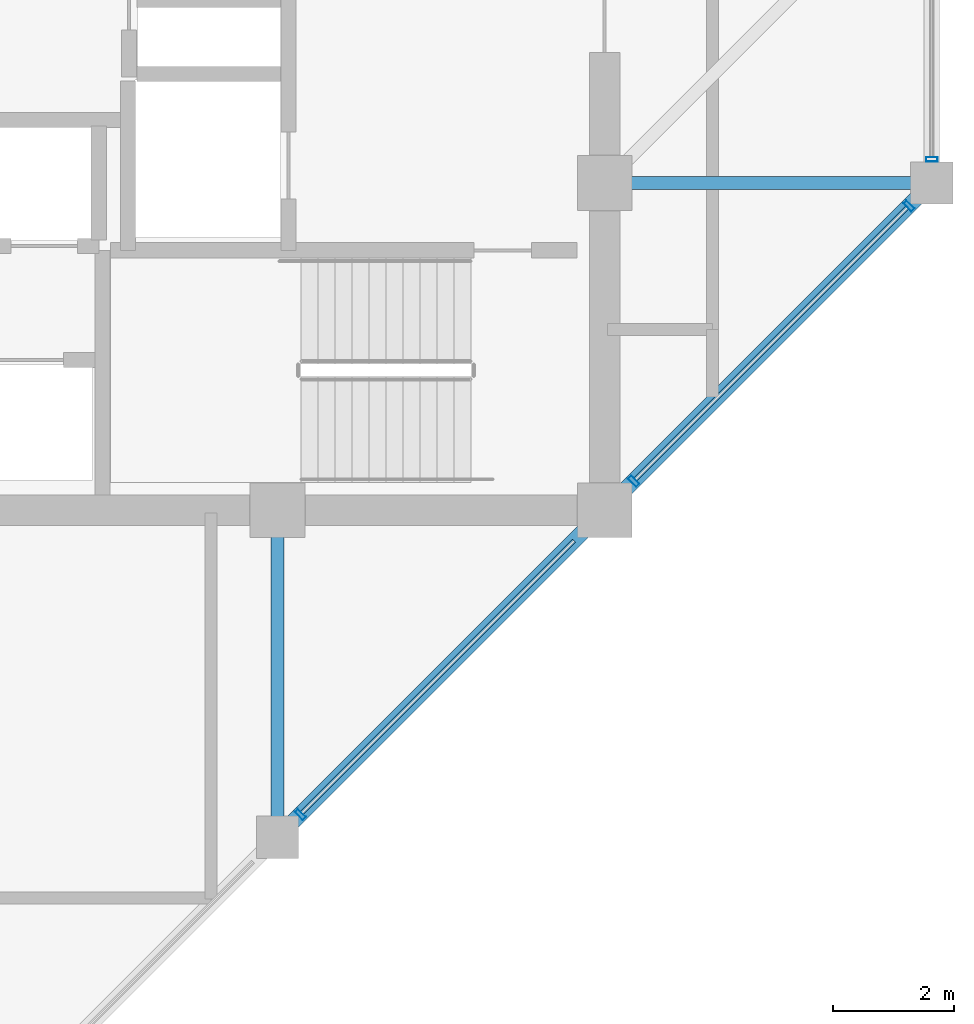
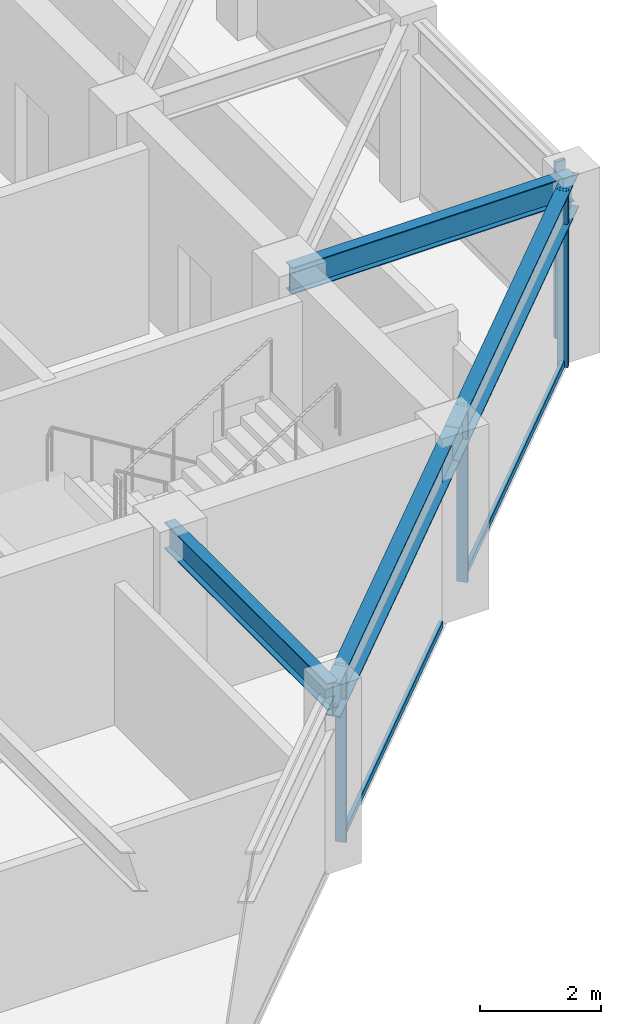
# One storey, part 12 of 30: 6 members, 4 beams, 2 elements without a shape of their own.
"""IFC4 building model written with IfcOpenShell, lengths in metres."""

import ifcopenshell
import ifcopenshell.guid

model = None  # the IFC model being written
_history = None  # IfcOwnerHistory: only IFC2X3 demands one
_inside = {}  # id of a spatial element -> (the spatial element, [elements in it])
_under = {}  # id of a project, library or spatial element -> (it, [spatial elements below it])
_declared = {}  # id of a project -> (the project, [libraries it declares])
_typed = {}  # id of a type object -> (the type object, [elements of that type])
_made_of = {}  # id of a material, layer set ... -> (it, [elements and type objects made of it])


def new_model(schema):
    """Start an empty IFC model of exactly this schema.

    Asked for "IFC4X3", IfcOpenShell would pick the latest addendum, in which some entities
    have other attributes; the version numbers below select the first issue.
    IFC2X3 requires an IfcOwnerHistory on every rooted entity: one is made here for all.
    """
    global model, _history
    if schema == "IFC4X3":
        model = ifcopenshell.file(schema_version=(4, 3, 0, 0))
    else:
        model = ifcopenshell.file(schema=schema)
    _inside.clear()
    _under.clear()
    _declared.clear()
    _typed.clear()
    _made_of.clear()
    _history = None
    if model.schema == "IFC2X3":
        org = make("IfcOrganization", Name="unknown")
        user = make(
            "IfcPersonAndOrganization",
            ThePerson=make("IfcPerson", FamilyName="unknown"),
            TheOrganization=org,
        )
        app = make(
            "IfcApplication",
            ApplicationDeveloper=org,
            Version="unknown",
            ApplicationFullName="unknown",
            ApplicationIdentifier="unknown",
        )
        _history = make(
            "IfcOwnerHistory",
            OwningUser=user,
            OwningApplication=app,
            ChangeAction="ADDED",
            CreationDate=0,
        )
    return model


def make(cls, **values):
    """One entity of the class cls with the attributes given. An attribute that is None is left unset."""
    return model.create_entity(
        cls, **{name: value for name, value in values.items() if value is not None}
    )


def rooted(cls, **values):
    """An entity with a GlobalId (a new one), such as an element, a storey or a relation."""
    return make(cls, GlobalId=ifcopenshell.guid.new(), OwnerHistory=_history, **values)


def si_unit(unit_type, name, prefix=None):
    """IfcSIUnit, for example si_unit("LENGTHUNIT", "METRE", prefix="MILLI")."""
    return make("IfcSIUnit", UnitType=unit_type, Prefix=prefix, Name=name)


def assignment(units):
    """IfcUnitAssignment: the units of a project."""
    return None if units is None else make("IfcUnitAssignment", Units=units)


def point(xyz):
    """IfcCartesianPoint."""
    return None if xyz is None else make("IfcCartesianPoint", Coordinates=xyz)


def direction(xyz):
    """IfcDirection."""
    return None if xyz is None else make("IfcDirection", DirectionRatios=xyz)


def frame(location, z_axis=None, x_axis=None):
    """IfcAxis2Placement3D, a coordinate frame: its origin and axes. An axis left out is left unset."""
    return make(
        "IfcAxis2Placement3D",
        Location=point(location),
        Axis=direction(z_axis),
        RefDirection=direction(x_axis),
    )


def frame_2d(location, x_axis=None):
    """IfcAxis2Placement2D, a coordinate frame in the plane: its origin and x axis."""
    return make(
        "IfcAxis2Placement2D", Location=point(location), RefDirection=direction(x_axis)
    )


def origin():
    """The frame at (0, 0, 0) with its axes left unset."""
    return frame((0.0, 0.0, 0.0))


def origin_2d():
    """The frame at (0, 0) in the plane with its x axis left unset."""
    return frame_2d((0.0, 0.0))


def place(relative_to, where):
    """IfcLocalPlacement: puts the frame where relative to a parent placement (None: the world)."""
    return make(
        "IfcLocalPlacement", PlacementRelTo=relative_to, RelativePlacement=where
    )


def context(
    kind, dimensions, precision=None, world=None, true_north=None, identifier=None
):
    """IfcGeometricRepresentationContext, for example the 3D "Model" context."""
    return make(
        "IfcGeometricRepresentationContext",
        ContextIdentifier=identifier,
        ContextType=kind,
        CoordinateSpaceDimension=dimensions,
        Precision=precision,
        WorldCoordinateSystem=world,
        TrueNorth=true_north,
    )


def subcontext(parent, identifier, kind, view, scale=None):
    """IfcGeometricRepresentationSubContext, for example "Body" below "Model"."""
    return make(
        "IfcGeometricRepresentationSubContext",
        ContextIdentifier=identifier,
        ContextType=kind,
        ParentContext=parent,
        TargetScale=scale,
        TargetView=view,
    )


def project(units=None, contexts=None):
    """IfcProject with its units and contexts."""
    return rooted(
        "IfcProject",
        Name="project",
        RepresentationContexts=contexts,
        UnitsInContext=assignment(units),
    )


def spatial(cls, under=None, at=None, **own):
    """A site, building, storey or space (cls), placed at a placement, below another one or the project."""
    s = rooted(cls, ObjectPlacement=at, **own)
    if under is not None:
        _under.setdefault(under.id(), (under, []))[1].append(s)
    return s


def profile(cls, at=None, kind="AREA", **sizes):
    """A parametric profile (cls). Its sizes go by their IFC names, for example OverallWidth=200.0."""
    return make(cls, ProfileType=kind, Position=at, **sizes)


def hollow_rectangle(**sizes):
    """IfcRectangleHollowProfileDef."""
    return profile("IfcRectangleHollowProfileDef", **sizes)


def i_section(**sizes):
    """IfcIShapeProfileDef."""
    return profile("IfcIShapeProfileDef", **sizes)


def extrude(swept, where, along, depth):
    """IfcExtrudedAreaSolid: the profile swept, set in the frame where, extruded along a direction by depth."""
    return make(
        "IfcExtrudedAreaSolid",
        SweptArea=swept,
        Position=where,
        ExtrudedDirection=direction(along),
        Depth=depth,
    )


def shape(context_of_items, identifier, shape_type, items):
    """IfcShapeRepresentation: the items that make up one representation, for example the "Body"."""
    return make(
        "IfcShapeRepresentation",
        ContextOfItems=context_of_items,
        RepresentationIdentifier=identifier,
        RepresentationType=shape_type,
        Items=items,
    )


def material(Name=None, Category=None):
    """IfcMaterial."""
    return make("IfcMaterial", Name=Name, Category=Category)


def layer(
    of_material, thickness, ventilated=None, Name=None, Category=None, Priority=None
):
    """IfcMaterialLayer: one layer of a wall or slab, of a material (None: an air gap)."""
    return make(
        "IfcMaterialLayer",
        Material=of_material,
        LayerThickness=thickness,
        IsVentilated=ventilated,
        Name=Name,
        Category=Category,
        Priority=Priority,
    )


def layer_set(layers, Name=None):
    """IfcMaterialLayerSet."""
    return make("IfcMaterialLayerSet", MaterialLayers=layers, LayerSetName=Name)


def material_profile(
    of_material, cross_section, Name=None, Category=None, Priority=None
):
    """IfcMaterialProfile: a cross section and its material."""
    return make(
        "IfcMaterialProfile",
        Name=Name,
        Material=of_material,
        Profile=cross_section,
        Priority=Priority,
        Category=Category,
    )


def profile_set(profiles, Name=None, composite=None):
    """IfcMaterialProfileSet."""
    return make(
        "IfcMaterialProfileSet",
        Name=Name,
        MaterialProfiles=profiles,
        CompositeProfile=composite,
    )


def made_of(thing, what):
    """Note that an element or type object is made of a material, layer set ...; save() writes the relation."""
    if what is not None:
        _made_of.setdefault(what.id(), (what, []))[1].append(thing)
    return thing


def type_object(cls, material=None, **own):
    """A type object (cls), such as IfcWallType, which elements share."""
    return made_of(rooted(cls, **own), material)


def element(
    cls,
    number,
    at=None,
    inside=None,
    cuts=None,
    type_object=None,
    material=None,
    context=None,
    identifier="Body",
    shape_type=None,
    held_by="IfcProductDefinitionShape",
    body=None,
    shapes=None,
    **own,
):
    """One element of the class cls, such as IfcWall. Its Tag is "e" and its number.

    at: its placement. inside: the storey or other place that contains it. cuts: it is an
    opening in that element (IfcRelVoidsElement). A single representation is given by context,
    identifier, shape_type and body (its items); several are given by shapes. held_by: the class
    of the entity that holds the representations. save() writes the other relations.
    """
    e = rooted(cls, Tag="e%d" % number, ObjectPlacement=at, **own)
    if body is not None:
        shapes = [shape(context, identifier, shape_type, body)]
    if shapes is not None:
        e.Representation = make(held_by, Representations=shapes)
    if inside is not None:
        _inside.setdefault(inside.id(), (inside, []))[1].append(e)
    if cuts is not None:
        rooted(
            "IfcRelVoidsElement", RelatingBuildingElement=cuts, RelatedOpeningElement=e
        )
    if type_object is not None:
        _typed.setdefault(type_object.id(), (type_object, []))[1].append(e)
    return made_of(e, material)


def aggregate(whole, parts):
    """IfcRelAggregates: a whole, such as a stair, and the parts it consists of."""
    return rooted("IfcRelAggregates", RelatingObject=whole, RelatedObjects=parts)


def save(model, path):
    """Write the relations noted so far, then the file.

    IfcRelAggregates (storeys below a building ...), IfcRelContainedInSpatialStructure (elements
    in a storey), IfcRelDefinesByType, IfcRelAssociatesMaterial and IfcRelDeclares: one each for
    every whole, place, type object, material and project.
    """
    for whole, parts in _under.values():
        aggregate(whole, parts)
    for where, things in _inside.values():
        rooted(
            "IfcRelContainedInSpatialStructure",
            RelatedElements=things,
            RelatingStructure=where,
        )
    for kind, things in _typed.values():
        rooted("IfcRelDefinesByType", RelatedObjects=things, RelatingType=kind)
    for what, things in _made_of.values():
        rooted("IfcRelAssociatesMaterial", RelatedObjects=things, RelatingMaterial=what)
    for by, libraries in _declared.values():
        rooted("IfcRelDeclares", RelatingContext=by, RelatedDefinitions=libraries)
    model.write(path)


model = new_model("IFC4")

# Units and contexts
model_context = context("Model", 3, precision=1e-05, world=origin(), true_north=direction((0.0, 1.0)))
body_context = subcontext(model_context, "Body", "Model", "MODEL_VIEW")
ifc_project = project(units=[si_unit("LENGTHUNIT", "METRE"), si_unit("AREAUNIT", "SQUARE_METRE"), si_unit("VOLUMEUNIT", "CUBIC_METRE"), si_unit("PLANEANGLEUNIT", "RADIAN"), si_unit("MASSUNIT", "GRAM", prefix="KILO")], contexts=[model_context])

# Site, building, storey
site_placement = place(None, origin())
site = spatial("IfcSite", under=ifc_project, at=site_placement, CompositionType="ELEMENT")
building_placement = place(site_placement, origin())
building = spatial("IfcBuilding", under=site, at=building_placement, Name="Surkhivell Harbour Commons", CompositionType="ELEMENT")
storey_placement = place(building_placement, frame((0.0, 0.0, 300.0)))
storey = spatial("IfcBuildingStorey", under=building, at=storey_placement, Name="L78", CompositionType="ELEMENT", Elevation=300.0)

# Beams
ifc_material_1 = material(Name="Steel S355", Category="steel")
ifc_material_profile_1 = material_profile(ifc_material_1, i_section(OverallWidth=0.2099609375, OverallDepth=0.537109375, WebThickness=0.0107421875, FlangeThickness=0.017333984375, at=origin_2d()), Name="UB533x210x101")
ifc_profile_set_1 = profile_set([ifc_material_profile_1], Name="Steel S355")
beam_type_1 = type_object("IfcBeamType", Name="BM-GRD-533B", PredefinedType="BEAM", material=ifc_profile_set_1)
for number, where, z_axis, x_axis, name in (
    (1, (5.39990234375, -16.199951171875, 3.301513671875), (0.0, 1.0, 0.0), (-1.0, 0.0, 0.0), "L78 Floor Girder (5.4,-16.2)"),
    (2, (10.800048828125, -5.39990234375, 3.301513671875), (1.0, 0.0, 0.0), (0.0, 1.0, 0.0), "L78 Floor Girder (10.8,-5.4)"),
):
    element("IfcBeam", number, at=place(storey_placement, frame(where, z_axis=z_axis, x_axis=x_axis)), inside=storey, type_object=beam_type_1, Name=name, PredefinedType="BEAM", context=body_context, shape_type="SweptSolid", body=[
        extrude(i_section(OverallWidth=0.2099609375, OverallDepth=0.537109375, WebThickness=0.0107421875, FlangeThickness=0.017333984375, at=origin_2d()), origin(), (0.0, 0.0, 1.0), 5.39990234375),
    ])
ifc_material_profile_2 = material_profile(ifc_material_1, i_section(OverallWidth=0.256103515625, OverallDepth=0.693115234375, WebThickness=0.014404296875, FlangeThickness=0.023681640625, at=origin_2d()), Name="UB686x254x170")
ifc_profile_set_2 = profile_set([ifc_material_profile_2], Name="Steel S355")
beam_type_2 = type_object("IfcBeamType", Name="BM-SPN-686", PredefinedType="SPANDREL", material=ifc_profile_set_2)
for number, where, z_axis, x_axis, name in (
    (3, (5.39990234375, -16.199951171875, 3.223388671875), (0.707122765516, 0.707090796496, 0.0), (-0.707090796496, 0.707122765516, 0.0), "L78 Tube Spandrel (5.4,-16.2)"),
    (4, (10.800048828125, -10.800048828125, 3.223388671875), (0.707090796496, 0.707122765516, 0.0), (-0.707122765516, 0.707090796496, 0.0), "L78 Tube Spandrel (10.8,-10.8)"),
):
    element("IfcBeam", number, at=place(storey_placement, frame(where, z_axis=z_axis, x_axis=x_axis)), inside=storey, type_object=beam_type_2, Name=name, PredefinedType="SPANDREL", context=body_context, shape_type="SweptSolid", body=[
        extrude(i_section(OverallWidth=0.256103515625, OverallDepth=0.693115234375, WebThickness=0.014404296875, FlangeThickness=0.023681640625, at=origin_2d()), origin(), (0.0, 0.0, 1.0), 7.63671875),
    ])

# Curtain wall, members
ifc_material_2 = material(Name="Anodised pale-metal aluminium and insulated glazing", Category="aluminium")
ifc_layer = layer(ifc_material_2, 0.175048828125)
ifc_layer_set = layer_set([ifc_layer], Name="Anodised pale-metal aluminium and insulated glazing")
curtain_wall_type = type_object("IfcCurtainWallType", Name="CW-SYS-Z4", PredefinedType="NOTDEFINED", material=ifc_layer_set)
curtain_wall_1_placement = place(storey_placement, origin())
curtain_wall_1 = element("IfcCurtainWall", 5, at=curtain_wall_1_placement, inside=storey, type_object=curtain_wall_type, Name="L78 Curtain Wall CW-L78-E01", PredefinedType="NOTDEFINED")
ifc_material_3 = material(Name="Anodised pale-metal aluminium alloy 6063-T6", Category="aluminium")
ifc_material_profile_3 = material_profile(ifc_material_3, hollow_rectangle(XDim=0.074951171875, YDim=0.18994140625, WallThickness=0.00390625, at=origin_2d()), Name="ALU-MULL-75x190")
ifc_profile_set_3 = profile_set([ifc_material_profile_3], Name="Anodised pale-metal aluminium alloy 6063-T6")
member_type_1 = type_object("IfcMemberType", Name="CWM-190", PredefinedType="MULLION", material=ifc_profile_set_3)
member_1_placement = place(storey_placement, frame((5.778076171875, -15.82177734375, 0.0), z_axis=(0.0, 0.0, 1.0), x_axis=(0.707106781187, 0.707106781187, 0.0)))
member_1 = element("IfcMember", 6, at=member_1_placement, type_object=member_type_1, Name="CW-Z4 mullion 2", PredefinedType="MULLION", context=body_context, shape_type="SweptSolid", body=[
    extrude(hollow_rectangle(XDim=0.074951171875, YDim=0.18994140625, WallThickness=0.00390625, at=origin_2d()), origin(), (0.0, 0.0, 1.0), 3.570068359375),
])
member_2_placement = place(storey_placement, frame((11.278076171875, -10.32177734375, 0.0), z_axis=(0.0, 0.0, 1.0), x_axis=(0.707106781187, 0.707106781187, 0.0)))
member_2 = element("IfcMember", 7, at=member_2_placement, type_object=member_type_1, Name="CW-Z4 mullion 3", PredefinedType="MULLION", context=body_context, shape_type="SweptSolid", body=[
    extrude(hollow_rectangle(XDim=0.074951171875, YDim=0.18994140625, WallThickness=0.00390625, at=origin_2d()), origin(), (0.0, 0.0, 1.0), 3.570068359375),
])
member_3_placement = place(storey_placement, frame((15.82177734375, -5.778076171875, 0.0), z_axis=(0.0, 0.0, 1.0), x_axis=(0.707106781187, 0.707106781187, 0.0)))
member_3 = element("IfcMember", 8, at=member_3_placement, type_object=member_type_1, Name="CW-Z4 mullion 4", PredefinedType="MULLION", context=body_context, shape_type="SweptSolid", body=[
    extrude(hollow_rectangle(XDim=0.074951171875, YDim=0.18994140625, WallThickness=0.00390625, at=origin_2d()), origin(), (0.0, 0.0, 1.0), 3.570068359375),
])

# Curtain wall, member
curtain_wall_2_placement = place(storey_placement, origin())
curtain_wall_2 = element("IfcCurtainWall", 9, at=curtain_wall_2_placement, inside=storey, type_object=curtain_wall_type, Name="L78 Curtain Wall CW-L78-E02", PredefinedType="NOTDEFINED")
member_4_placement = place(storey_placement, frame((16.199951171875, -5.010498046875, 0.0), z_axis=(0.0, 0.0, 1.0), x_axis=(0.0, 1.0, 0.0)))
member_4 = element("IfcMember", 10, at=member_4_placement, type_object=member_type_1, Name="CW-Z4 mullion 1", PredefinedType="MULLION", context=body_context, shape_type="SweptSolid", body=[
    extrude(hollow_rectangle(XDim=0.074951171875, YDim=0.18994140625, WallThickness=0.00390625, at=origin_2d()), origin(), (0.0, 0.0, 1.0), 3.570068359375),
])
aggregate(curtain_wall_2, [member_4])

# Member
ifc_material_4 = material(Name="Champagne anodised aluminium alloy 6063-T6", Category="aluminium")
ifc_material_profile_4 = material_profile(ifc_material_4, hollow_rectangle(XDim=0.070068359375, YDim=0.1298828125, WallThickness=0.00341796875, at=origin_2d()), Name="ALU-TRAN-70x130")
ifc_profile_set_4 = profile_set([ifc_material_profile_4], Name="Champagne anodised aluminium alloy 6063-T6")
member_type_2 = type_object("IfcMemberType", Name="CWT-130", PredefinedType="USERDEFINED", material=ifc_profile_set_4)
member_5_placement = place(storey_placement, frame((5.8046875, -15.79541015625, 0.06494140625), z_axis=(0.707106781187, 0.707106781187, 0.0), x_axis=(-0.707106781187, 0.707106781187, 0.0)))
member_5 = element("IfcMember", 11, at=member_5_placement, type_object=member_type_2, Name="CW-Z4 transom 2.1", ObjectType="TRANSOM", PredefinedType="USERDEFINED", context=body_context, shape_type="SweptSolid", body=[
    extrude(hollow_rectangle(XDim=0.070068359375, YDim=0.1298828125, WallThickness=0.00341796875, at=origin_2d()), origin(), (0.0, 0.0, 1.0), 6.350830078125),
])

member_6_placement = place(storey_placement, frame((11.3046875, -10.29541015625, 0.06494140625), z_axis=(0.707106781187, 0.707106781187, 0.0), x_axis=(-0.707106781187, 0.707106781187, 0.0)))
member_6 = element("IfcMember", 12, at=member_6_placement, type_object=member_type_2, Name="CW-Z4 transom 3.1", ObjectType="TRANSOM", PredefinedType="USERDEFINED", context=body_context, shape_type="SweptSolid", body=[
    extrude(hollow_rectangle(XDim=0.070068359375, YDim=0.1298828125, WallThickness=0.00341796875, at=origin_2d()), origin(), (0.0, 0.0, 1.0), 6.350830078125),
])

aggregate(curtain_wall_1, [member_1, member_5, member_2, member_3, member_6])

save(model, "model.ifc")
